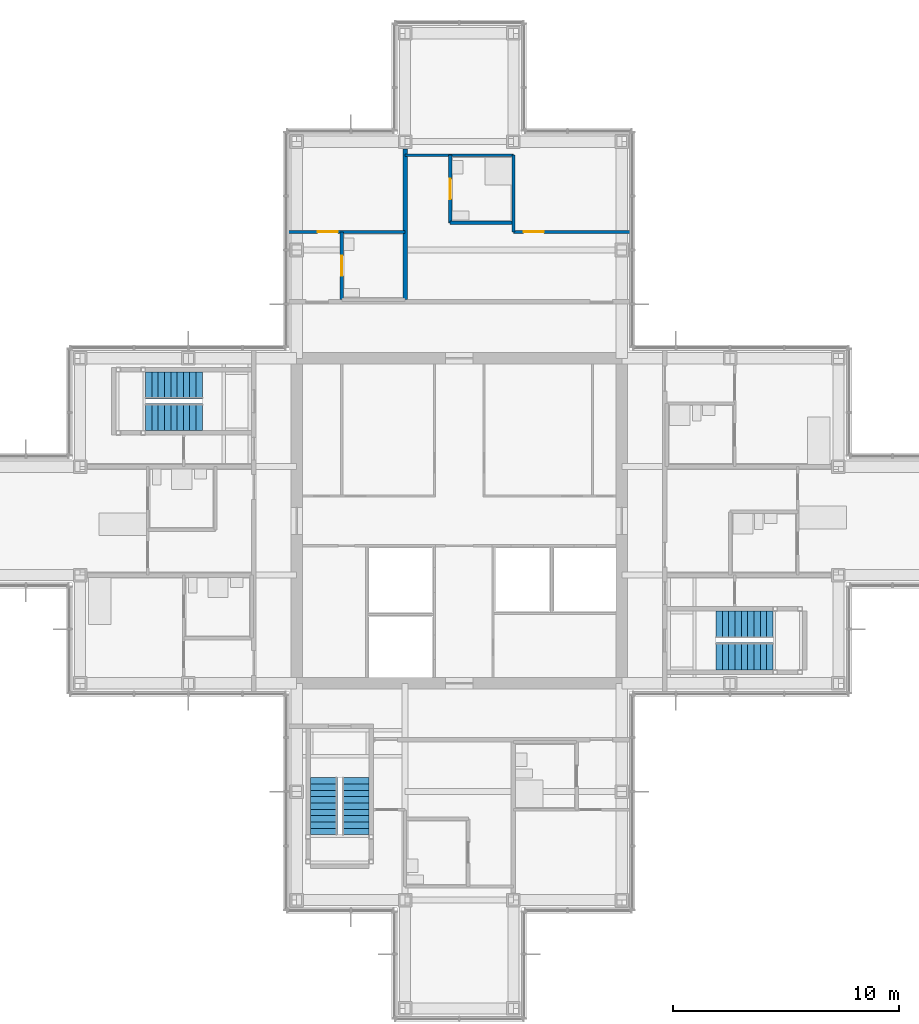
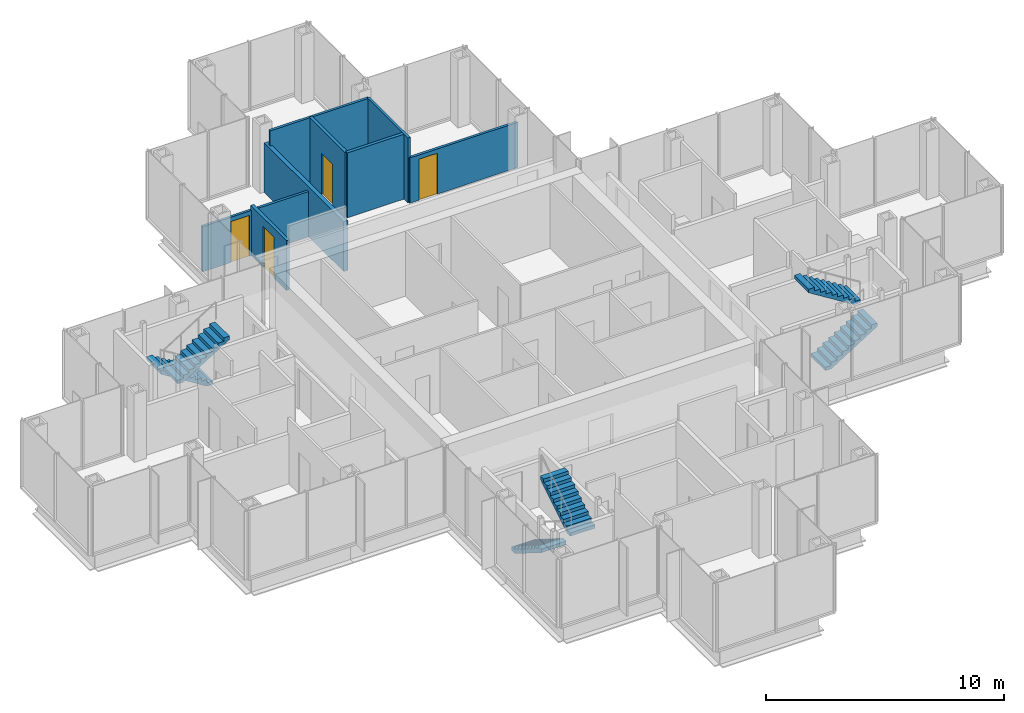
# One storey, part 14 of 17: 8 walls, 6 stair flights, 4 doors, 4 openings, 3 elements without a shape of their own.
"""IFC4 building model written with IfcOpenShell, lengths in metres."""

from ifc_helpers import new_model, si_unit, direction, frame, frame_2d, origin, place, context, subcontext, project, spatial, polyline, rectangle, outline, extrude, material, layer, layer_set, type_object, element, fill, aggregate, save


model = new_model("IFC4")

# Units and contexts
model_context = context("Model", 3, precision=1e-05, world=origin(), true_north=direction((0.0, 1.0)))
body_context = subcontext(model_context, "Body", "Model", "MODEL_VIEW")
ifc_project = project(units=[si_unit("LENGTHUNIT", "METRE"), si_unit("AREAUNIT", "SQUARE_METRE"), si_unit("VOLUMEUNIT", "CUBIC_METRE"), si_unit("PLANEANGLEUNIT", "RADIAN"), si_unit("MASSUNIT", "GRAM", prefix="KILO")], contexts=[model_context])

# Site, building, storey
site_placement = place(None, origin())
site = spatial("IfcSite", under=ifc_project, at=site_placement, CompositionType="ELEMENT")
building_placement = place(site_placement, origin())
building = spatial("IfcBuilding", under=site, at=building_placement, Name="Kvirike Care Tower", CompositionType="ELEMENT")
storey_placement = place(building_placement, frame((0.0, 0.0, 172.5)))
storey = spatial("IfcBuildingStorey", under=building, at=storey_placement, Name="L47", CompositionType="ELEMENT", Elevation=172.5)

# Wall, opening, door
ifc_material_1 = material(Name="Moisture-resistant board partition", Category="gypsum")
ifc_layer_1 = layer(ifc_material_1, 0.14990234375)
ifc_layer_set_1 = layer_set([ifc_layer_1], Name="BATHROOM WALL 150")
wall_type_1 = type_object("IfcWallType", Name="BATHROOM WALL 150", PredefinedType="PARTITIONING", material=ifc_layer_set_1)
wall_1_placement = place(storey_placement, frame((21.199951171875, 52.199951171875, 0.0), z_axis=(0.0, 0.0, 1.0), x_axis=(0.0, -1.0, 0.0)))
wall_1 = element("IfcWall", 1, at=wall_1_placement, inside=storey, type_object=wall_type_1, Name="Bathroom Wall 150 L47", PredefinedType="PARTITIONING", context=body_context, shape_type="SweptSolid", body=[
    extrude(rectangle(XDim=3.0, YDim=0.14990234375, at=frame_2d((1.5, 0.0))), origin(), (0.0, 0.0, 1.0), 3.330078125),
])
opening_1_placement = place(wall_1_placement, frame((1.050048828125, 0.0, 0.0)))
opening_1 = element("IfcOpeningElement", 2, at=opening_1_placement, cuts=wall_1, Name="Opening 47-017", PredefinedType="OPENING", context=body_context, shape_type="SweptSolid", body=[
    extrude(rectangle(XDim=0.89990234375, YDim=2.10009765625, at=frame_2d((0.449951171875, 1.050048828125))), frame((0.0, 0.08544921875, 0.0), z_axis=(0.0, -1.0, 0.0), x_axis=(1.0, 0.0, 0.0)), (0.0, 0.0, 1.0), 0.1708984375),
])
ifc_material_2 = material(Name="Timber door set", Category="wood")
door_type_1 = type_object("IfcDoorType", Name="BATHROOM DOOR 900", OperationType="SINGLE_SWING_RIGHT", PredefinedType="DOOR", material=ifc_material_2)
door_1_placement = place(opening_1_placement, origin())
door_1 = element("IfcDoor", 3, at=door_1_placement, inside=storey, type_object=door_type_1, Name="Assisted bathroom door", OperationType="SINGLE_SWING_LEFT", OverallHeight=2.10009765625, OverallWidth=0.89990234375, PredefinedType="DOOR", context=body_context, shape_type="SweptSolid", body=[
    extrude(rectangle(XDim=0.89990234375, YDim=2.10009765625, at=frame_2d((0.449951171875, 1.050048828125))), frame((0.0, 0.02197265625, 0.0), z_axis=(0.0, -1.0, 0.0), x_axis=(1.0, 0.0, 0.0)), (0.0, 0.0, 1.0), 0.0439453125),
])
fill(opening_1, door_1)

# Wall
wall_2_placement = place(storey_placement, frame((24.0, 49.199951171875, 0.0), z_axis=(0.0, 0.0, 1.0), x_axis=(-1.0, 0.0, 0.0)))
element("IfcWall", 4, at=wall_2_placement, inside=storey, type_object=wall_type_1, Name="Bathroom Wall 150 L47", PredefinedType="PARTITIONING", context=body_context, shape_type="SweptSolid", body=[
    extrude(rectangle(XDim=2.800048828125, YDim=0.14990234375, at=frame_2d((1.39990234375, 0.0))), origin(), (0.0, 0.0, 1.0), 3.330078125),
])

# Wall, opening, door
wall_3_placement = place(storey_placement, frame((16.39990234375, 48.800048828125, 0.0), z_axis=(0.0, 0.0, 1.0), x_axis=(0.0, -1.0, 0.0)))
wall_3 = element("IfcWall", 5, at=wall_3_placement, inside=storey, type_object=wall_type_1, Name="Bathroom Wall 150 L47", PredefinedType="PARTITIONING", context=body_context, shape_type="SweptSolid", body=[
    extrude(rectangle(XDim=3.0, YDim=0.14990234375, at=frame_2d((1.5, 0.0))), origin(), (0.0, 0.0, 1.0), 2.550048828125),
])
opening_2_placement = place(wall_3_placement, frame((1.050048828125, 0.0, 0.0)))
opening_2 = element("IfcOpeningElement", 6, at=opening_2_placement, cuts=wall_3, Name="Opening 47-019", PredefinedType="OPENING", context=body_context, shape_type="SweptSolid", body=[
    extrude(rectangle(XDim=0.89990234375, YDim=2.10009765625, at=frame_2d((0.449951171875, 1.050048828125))), frame((0.0, 0.08544921875, 0.0), z_axis=(0.0, -1.0, 0.0), x_axis=(1.0, 0.0, 0.0)), (0.0, 0.0, 1.0), 0.1708984375),
])
door_2_placement = place(opening_2_placement, frame((0.89990234375, 0.0, 0.0), z_axis=(0.0, 0.0, 1.0), x_axis=(-1.0, 0.0, 0.0)))
door_2 = element("IfcDoor", 7, at=door_2_placement, inside=storey, type_object=door_type_1, Name="Staff WC door", OperationType="SINGLE_SWING_RIGHT", OverallHeight=2.10009765625, OverallWidth=0.89990234375, PredefinedType="DOOR", context=body_context, shape_type="SweptSolid", body=[
    extrude(rectangle(XDim=0.89990234375, YDim=2.10009765625, at=frame_2d((0.449951171875, 1.050048828125))), frame((0.0, 0.02197265625, 0.0), z_axis=(0.0, -1.0, 0.0), x_axis=(1.0, 0.0, 0.0)), (0.0, 0.0, 1.0), 0.0439453125),
])
fill(opening_2, door_2)

ifc_material_3 = material(Name="Plasterboard partition", Category="gypsum")
ifc_layer_2 = layer(ifc_material_3, 0.1201171875)
ifc_layer_set_2 = layer_set([ifc_layer_2], Name="PARTITION 120")
wall_type_2 = type_object("IfcWallType", Name="PARTITION 120", PredefinedType="PARTITIONING", material=ifc_layer_set_2)
wall_4_placement = place(storey_placement, frame((29.25, 48.800048828125, 0.0), z_axis=(0.0, 0.0, 1.0), x_axis=(-1.0, 0.0, 0.0)))
wall_4 = element("IfcWall", 8, at=wall_4_placement, inside=storey, type_object=wall_type_2, Name="Partition 120 L47", PredefinedType="PARTITIONING", context=body_context, shape_type="SweptSolid", body=[
    extrude(rectangle(XDim=5.25, YDim=0.1201171875, at=frame_2d((2.625, 0.0))), origin(), (0.0, 0.0, 1.0), 2.320068359375),
])
opening_3_placement = place(wall_4_placement, frame((3.89990234375, 0.0, 0.0)))
opening_3 = element("IfcOpeningElement", 9, at=opening_3_placement, cuts=wall_4, Name="Opening 47-018", PredefinedType="OPENING", context=body_context, shape_type="SweptSolid", body=[
    extrude(rectangle(XDim=0.89990234375, YDim=2.10009765625, at=frame_2d((0.449951171875, 1.050048828125))), frame((0.0, 0.070556640625, 0.0), z_axis=(0.0, -1.0, 0.0), x_axis=(1.0, 0.0, 0.0)), (0.0, 0.0, 1.0), 0.14111328125),
])
ifc_material_4 = material(Name="Timber door set", Category="wood")
door_type_2 = type_object("IfcDoorType", Name="INTERNAL DOOR 900", OperationType="SINGLE_SWING_LEFT", PredefinedType="DOOR", material=ifc_material_4)
door_3_placement = place(opening_3_placement, origin())
door_3 = element("IfcDoor", 10, at=door_3_placement, inside=storey, type_object=door_type_2, Name="Activity room door", OperationType="SINGLE_SWING_RIGHT", OverallHeight=2.10009765625, OverallWidth=0.89990234375, PredefinedType="DOOR", context=body_context, shape_type="SweptSolid", body=[
    extrude(rectangle(XDim=0.89990234375, YDim=2.10009765625, at=frame_2d((0.449951171875, 1.050048828125))), frame((0.0, 0.02197265625, 0.0), z_axis=(0.0, -1.0, 0.0), x_axis=(1.0, 0.0, 0.0)), (0.0, 0.0, 1.0), 0.0439453125),
])
fill(opening_3, door_3)

# Walls
wall_5_placement = place(storey_placement, frame((24.0, 52.199951171875, 0.0), z_axis=(0.0, 0.0, 1.0), x_axis=(-1.0, 0.0, 0.0)))
element("IfcWall", 11, at=wall_5_placement, inside=storey, type_object=wall_type_2, Name="Partition 120 L47", PredefinedType="PARTITIONING", context=body_context, shape_type="SweptSolid", body=[
    extrude(rectangle(XDim=4.800048828125, YDim=0.1201171875, at=frame_2d((2.39990234375, 0.0))), origin(), (0.0, 0.0, 1.0), 3.330078125),
])
wall_6_placement = place(storey_placement, frame((24.0, 52.199951171875, 0.0), z_axis=(0.0, 0.0, 1.0), x_axis=(0.0, -1.0, 0.0)))
element("IfcWall", 12, at=wall_6_placement, inside=storey, type_object=wall_type_2, Name="Partition 120 L47", PredefinedType="PARTITIONING", context=body_context, shape_type="SweptSolid", body=[
    extrude(rectangle(XDim=3.39990234375, YDim=0.1201171875, at=frame_2d((1.699951171875, 0.0))), origin(), (0.0, 0.0, 1.0), 3.330078125),
])

# Wall, opening, door
wall_7_placement = place(storey_placement, frame((19.199951171875, 48.800048828125, 0.0), z_axis=(0.0, 0.0, 1.0), x_axis=(-1.0, 0.0, 0.0)))
wall_7 = element("IfcWall", 13, at=wall_7_placement, inside=storey, type_object=wall_type_2, Name="Partition 120 L47", PredefinedType="PARTITIONING", context=body_context, shape_type="SweptSolid", body=[
    extrude(rectangle(XDim=5.25, YDim=0.1201171875, at=frame_2d((2.625, 0.0))), origin(), (0.0, 0.0, 1.0), 2.320068359375),
])
opening_4_placement = place(wall_7_placement, frame((2.97509765625, 0.0, 0.0)))
opening_4 = element("IfcOpeningElement", 14, at=opening_4_placement, cuts=wall_7, Name="Opening 47-020", PredefinedType="OPENING", context=body_context, shape_type="SweptSolid", body=[
    extrude(rectangle(XDim=0.89990234375, YDim=2.10009765625, at=frame_2d((0.449951171875, 1.050048828125))), frame((0.0, 0.070556640625, 0.0), z_axis=(0.0, -1.0, 0.0), x_axis=(1.0, 0.0, 0.0)), (0.0, 0.0, 1.0), 0.14111328125),
])
door_4_placement = place(opening_4_placement, origin())
door_4 = element("IfcDoor", 15, at=door_4_placement, inside=storey, type_object=door_type_2, Name="Sensory therapy room door", OperationType="SINGLE_SWING_RIGHT", OverallHeight=2.10009765625, OverallWidth=0.89990234375, PredefinedType="DOOR", context=body_context, shape_type="SweptSolid", body=[
    extrude(rectangle(XDim=0.89990234375, YDim=2.10009765625, at=frame_2d((0.449951171875, 1.050048828125))), frame((0.0, 0.02197265625, 0.0), z_axis=(0.0, -1.0, 0.0), x_axis=(1.0, 0.0, 0.0)), (0.0, 0.0, 1.0), 0.0439453125),
])
fill(opening_4, door_4)

# Wall
ifc_material_5 = material(Name="Plasterboard party wall", Category="gypsum")
ifc_layer_3 = layer(ifc_material_5, 0.199951171875)
ifc_layer_set_3 = layer_set([ifc_layer_3], Name="PARTY WALL 200")
wall_type_3 = type_object("IfcWallType", Name="PARTY WALL 200", PredefinedType="PARTITIONING", material=ifc_layer_set_3)
wall_8_placement = place(storey_placement, frame((19.199951171875, 52.47998046875, 0.0), z_axis=(0.0, 0.0, 1.0), x_axis=(0.0, -1.0, 0.0)))
element("IfcWall", 16, at=wall_8_placement, inside=storey, type_object=wall_type_3, Name="Party Wall 200 L47", PredefinedType="PARTITIONING", context=body_context, shape_type="SweptSolid", body=[
    extrude(rectangle(XDim=6.679931640625, YDim=0.199951171875, at=frame_2d((3.33984375, 0.0))), origin(), (0.0, 0.0, 1.0), 2.550048828125),
])

# Stair, stair flights
ifc_material_6 = material(Name="Concrete C35/45", Category="concrete")
stair_type = type_object("IfcStairType", Name="STAIR 20 RISERS", PredefinedType="HALF_TURN_STAIR", material=ifc_material_6)
stair_1_placement = place(storey_placement, origin())
stair_1 = element("IfcStair", 17, at=stair_1_placement, inside=storey, type_object=stair_type, Name="Stair 1 L47", PredefinedType="HALF_TURN_STAIR")
ifc_material_7 = material(Name="Concrete C35/45", Category="concrete")
stair_flight_type = type_object("IfcStairFlightType", Name="FLIGHT 10 RISERS", PredefinedType="STRAIGHT", material=ifc_material_7)
stair_flight_1_placement = place(storey_placement, frame((10.219970703125, 42.0, 0.0), z_axis=(0.0, 0.0, 1.0), x_axis=(-1.0, 0.0, 0.0)))
stair_flight_1 = element("IfcStairFlight", 18, at=stair_flight_1_placement, type_object=stair_flight_type, Name="Stair S1 flight 1 L47-L48", NumberOfRisers=10, NumberOfTreads=9, PredefinedType="STRAIGHT", RiserHeight=0.175, TreadLength=0.28, context=body_context, shape_type="SweptSolid", body=[
    extrude(outline(polyline([(0.0, 0.0), (0.0, 0.175048828125), (0.280029296875, 0.175048828125), (0.280029296875, 0.35009765625), (0.56005859375, 0.35009765625), (0.56005859375, 0.52490234375), (0.840087890625, 0.52490234375), (0.840087890625, 0.699951171875), (1.1201171875, 0.699951171875), (1.1201171875, 0.875), (1.39990234375, 0.875), (1.39990234375, 1.050048828125), (1.679931640625, 1.050048828125), (1.679931640625, 1.22509765625), (1.9599609375, 1.22509765625), (1.9599609375, 1.39990234375), (2.239990234375, 1.39990234375), (2.239990234375, 1.574951171875), (2.52001953125, 1.574951171875), (2.52001953125, 1.75), (2.52001953125, 1.398193359375), (0.28271484375, 0.0), (0.0, 0.0)])), frame((0.0, 0.60009765625, 0.0), z_axis=(0.0, -1.0, 0.0), x_axis=(1.0, 0.0, 0.0)), (0.0, 0.0, 1.0), 1.199951171875),
])
stair_flight_2_placement = place(storey_placement, frame((7.699951171875, 40.60009765625, 1.75), z_axis=(0.0, 0.0, 1.0), x_axis=(1.0, 0.0, 0.0)))
stair_flight_2 = element("IfcStairFlight", 19, at=stair_flight_2_placement, type_object=stair_flight_type, Name="Stair S1 flight 2 L47-L48", NumberOfRisers=10, NumberOfTreads=9, PredefinedType="STRAIGHT", RiserHeight=0.175, TreadLength=0.28, context=body_context, shape_type="SweptSolid", body=[
    extrude(outline(polyline([(0.0, 0.0), (0.0, 0.175048828125), (0.280029296875, 0.175048828125), (0.280029296875, 0.35009765625), (0.56005859375, 0.35009765625), (0.56005859375, 0.52490234375), (0.840087890625, 0.52490234375), (0.840087890625, 0.699951171875), (1.1201171875, 0.699951171875), (1.1201171875, 0.875), (1.39990234375, 0.875), (1.39990234375, 1.050048828125), (1.679931640625, 1.050048828125), (1.679931640625, 1.22509765625), (1.9599609375, 1.22509765625), (1.9599609375, 1.39990234375), (2.239990234375, 1.39990234375), (2.239990234375, 1.574951171875), (2.52001953125, 1.574951171875), (2.52001953125, 1.75), (2.52001953125, 1.398193359375), (0.28271484375, 0.0), (0.0, 0.0)])), frame((0.0, 0.60009765625, 0.0), z_axis=(0.0, -1.0, 0.0), x_axis=(1.0, 0.0, 0.0)), (0.0, 0.0, 1.0), 1.199951171875),
])
aggregate(stair_1, [stair_flight_1, stair_flight_2])

stair_2_placement = place(storey_placement, origin())
stair_2 = element("IfcStair", 20, at=stair_2_placement, inside=storey, type_object=stair_type, Name="Stair 2 L47", PredefinedType="HALF_TURN_STAIR")
stair_flight_3_placement = place(storey_placement, frame((32.97998046875, 30.0, 0.0), z_axis=(0.0, 0.0, 1.0), x_axis=(1.0, 0.0, 0.0)))
stair_flight_3 = element("IfcStairFlight", 21, at=stair_flight_3_placement, type_object=stair_flight_type, Name="Stair S2 flight 1 L47-L48", NumberOfRisers=10, NumberOfTreads=9, PredefinedType="STRAIGHT", RiserHeight=0.175, TreadLength=0.28, context=body_context, shape_type="SweptSolid", body=[
    extrude(outline(polyline([(0.0, 0.0), (0.0, 0.175048828125), (0.280029296875, 0.175048828125), (0.280029296875, 0.35009765625), (0.56005859375, 0.35009765625), (0.56005859375, 0.52490234375), (0.840087890625, 0.52490234375), (0.840087890625, 0.699951171875), (1.1201171875, 0.699951171875), (1.1201171875, 0.875), (1.39990234375, 0.875), (1.39990234375, 1.050048828125), (1.679931640625, 1.050048828125), (1.679931640625, 1.22509765625), (1.9599609375, 1.22509765625), (1.9599609375, 1.39990234375), (2.239990234375, 1.39990234375), (2.239990234375, 1.574951171875), (2.52001953125, 1.574951171875), (2.52001953125, 1.75), (2.52001953125, 1.398193359375), (0.28271484375, 0.0), (0.0, 0.0)])), frame((0.0, 0.60009765625, 0.0), z_axis=(0.0, -1.0, 0.0), x_axis=(1.0, 0.0, 0.0)), (0.0, 0.0, 1.0), 1.199951171875),
])
stair_flight_4_placement = place(storey_placement, frame((35.5, 31.39990234375, 1.75), z_axis=(0.0, 0.0, 1.0), x_axis=(-1.0, 0.0, 0.0)))
stair_flight_4 = element("IfcStairFlight", 22, at=stair_flight_4_placement, type_object=stair_flight_type, Name="Stair S2 flight 2 L47-L48", NumberOfRisers=10, NumberOfTreads=9, PredefinedType="STRAIGHT", RiserHeight=0.175, TreadLength=0.28, context=body_context, shape_type="SweptSolid", body=[
    extrude(outline(polyline([(0.0, 0.0), (0.0, 0.175048828125), (0.280029296875, 0.175048828125), (0.280029296875, 0.35009765625), (0.56005859375, 0.35009765625), (0.56005859375, 0.52490234375), (0.840087890625, 0.52490234375), (0.840087890625, 0.699951171875), (1.1201171875, 0.699951171875), (1.1201171875, 0.875), (1.39990234375, 0.875), (1.39990234375, 1.050048828125), (1.679931640625, 1.050048828125), (1.679931640625, 1.22509765625), (1.9599609375, 1.22509765625), (1.9599609375, 1.39990234375), (2.239990234375, 1.39990234375), (2.239990234375, 1.574951171875), (2.52001953125, 1.574951171875), (2.52001953125, 1.75), (2.52001953125, 1.398193359375), (0.28271484375, 0.0), (0.0, 0.0)])), frame((0.0, 0.60009765625, 0.0), z_axis=(0.0, -1.0, 0.0), x_axis=(1.0, 0.0, 0.0)), (0.0, 0.0, 1.0), 1.199951171875),
])
aggregate(stair_2, [stair_flight_3, stair_flight_4])

stair_3_placement = place(storey_placement, origin())
stair_3 = element("IfcStair", 23, at=stair_3_placement, inside=storey, type_object=stair_type, Name="Stair 5 L47", PredefinedType="HALF_TURN_STAIR")
stair_flight_5_placement = place(storey_placement, frame((15.60009765625, 24.6201171875, 0.0), z_axis=(0.0, 0.0, 1.0), x_axis=(0.0, -1.0, 0.0)))
stair_flight_5 = element("IfcStairFlight", 24, at=stair_flight_5_placement, type_object=stair_flight_type, Name="Stair S5 flight 1 L47-L48", NumberOfRisers=10, NumberOfTreads=9, PredefinedType="STRAIGHT", RiserHeight=0.175, TreadLength=0.28, context=body_context, shape_type="SweptSolid", body=[
    extrude(outline(polyline([(0.0, 0.0), (0.0, 0.175048828125), (0.280029296875, 0.175048828125), (0.280029296875, 0.35009765625), (0.56005859375, 0.35009765625), (0.56005859375, 0.52490234375), (0.840087890625, 0.52490234375), (0.840087890625, 0.699951171875), (1.1201171875, 0.699951171875), (1.1201171875, 0.875), (1.39990234375, 0.875), (1.39990234375, 1.050048828125), (1.679931640625, 1.050048828125), (1.679931640625, 1.22509765625), (1.9599609375, 1.22509765625), (1.9599609375, 1.39990234375), (2.239990234375, 1.39990234375), (2.239990234375, 1.574951171875), (2.52001953125, 1.574951171875), (2.52001953125, 1.75), (2.52001953125, 1.398193359375), (0.28271484375, 0.0), (0.0, 0.0)])), frame((0.0, 0.60009765625, 0.0), z_axis=(0.0, -1.0, 0.0), x_axis=(1.0, 0.0, 0.0)), (0.0, 0.0, 1.0), 1.199951171875),
])
stair_flight_6_placement = place(storey_placement, frame((17.0, 22.10009765625, 1.75), z_axis=(0.0, 0.0, 1.0), x_axis=(0.0, 1.0, 0.0)))
stair_flight_6 = element("IfcStairFlight", 25, at=stair_flight_6_placement, type_object=stair_flight_type, Name="Stair S5 flight 2 L47-L48", NumberOfRisers=10, NumberOfTreads=9, PredefinedType="STRAIGHT", RiserHeight=0.175, TreadLength=0.28, context=body_context, shape_type="SweptSolid", body=[
    extrude(outline(polyline([(0.0, 0.0), (0.0, 0.175048828125), (0.280029296875, 0.175048828125), (0.280029296875, 0.35009765625), (0.56005859375, 0.35009765625), (0.56005859375, 0.52490234375), (0.840087890625, 0.52490234375), (0.840087890625, 0.699951171875), (1.1201171875, 0.699951171875), (1.1201171875, 0.875), (1.39990234375, 0.875), (1.39990234375, 1.050048828125), (1.679931640625, 1.050048828125), (1.679931640625, 1.22509765625), (1.9599609375, 1.22509765625), (1.9599609375, 1.39990234375), (2.239990234375, 1.39990234375), (2.239990234375, 1.574951171875), (2.52001953125, 1.574951171875), (2.52001953125, 1.75), (2.52001953125, 1.398193359375), (0.28271484375, 0.0), (0.0, 0.0)])), frame((0.0, 0.60009765625, 0.0), z_axis=(0.0, -1.0, 0.0), x_axis=(1.0, 0.0, 0.0)), (0.0, 0.0, 1.0), 1.199951171875),
])
aggregate(stair_3, [stair_flight_5, stair_flight_6])

save(model, "model.ifc")
